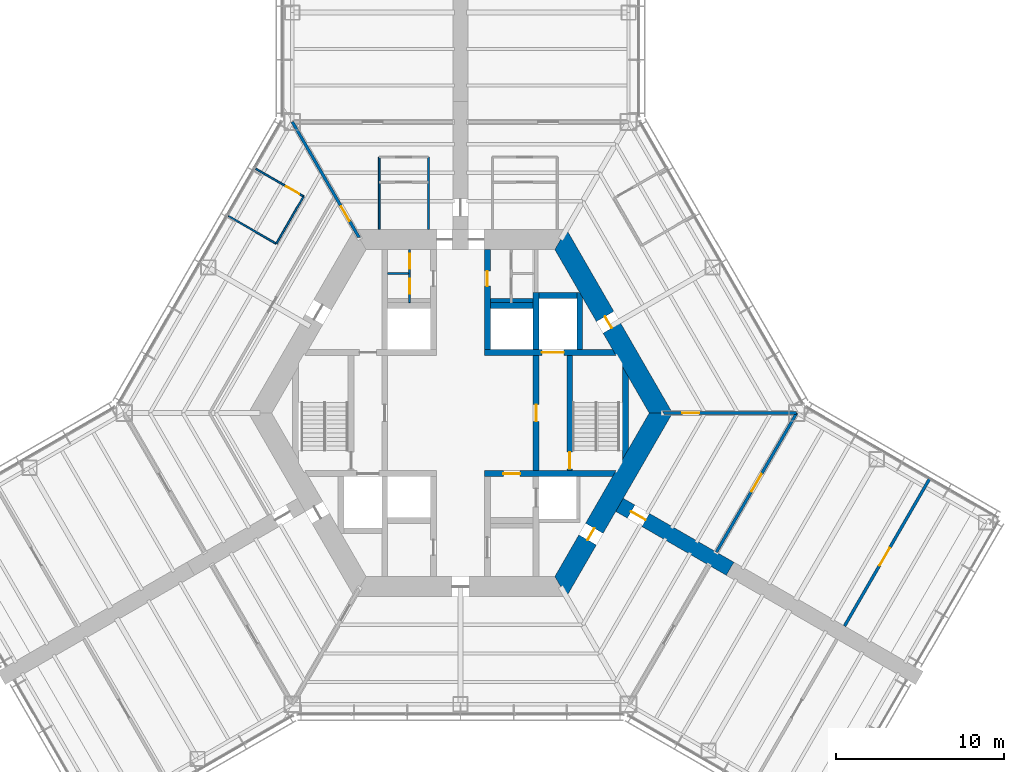
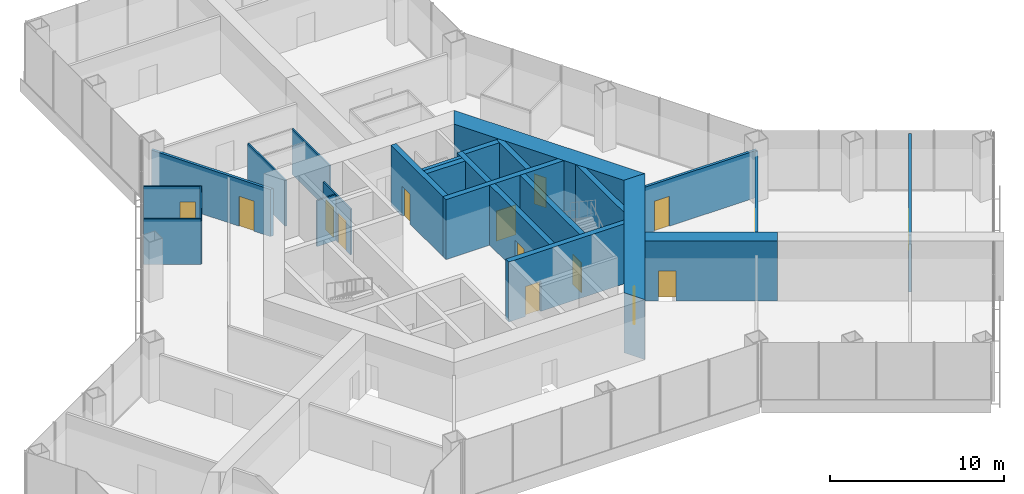
# One storey, part 12 of 16: 25 walls, 15 doors, 15 openings.
"""IFC4 building model written with IfcOpenShell, lengths in metres."""

from ifc_helpers import new_model, si_unit, direction, frame, frame_2d, origin, place, context, subcontext, project, spatial, polyline, rectangle, outline, extrude, material, layer, layer_set, type_object, element, fill, save


model = new_model("IFC4")

# Units and contexts
model_context = context("Model", 3, precision=1e-05, world=origin(), true_north=direction((0.0, 1.0)))
body_context = subcontext(model_context, "Body", "Model", "MODEL_VIEW")
ifc_project = project(units=[si_unit("LENGTHUNIT", "METRE"), si_unit("AREAUNIT", "SQUARE_METRE"), si_unit("VOLUMEUNIT", "CUBIC_METRE"), si_unit("PLANEANGLEUNIT", "RADIAN"), si_unit("MASSUNIT", "GRAM", prefix="KILO")], contexts=[model_context])

# Site, building, storey
site_placement = place(None, origin())
site = spatial("IfcSite", under=ifc_project, at=site_placement, CompositionType="ELEMENT")
building_placement = place(site_placement, origin())
building = spatial("IfcBuilding", under=site, at=building_placement, Name="Kasaneha Research Tower", CompositionType="ELEMENT")
storey_placement = place(building_placement, frame((0.0, 0.0, 18.39990234375)))
storey = spatial("IfcBuildingStorey", under=building, at=storey_placement, Name="L05", CompositionType="ELEMENT", Elevation=18.39990234375)

# Wall, opening, door
ifc_material_1 = material(Name="Concrete Fc100", Category="concrete")
ifc_layer_1 = layer(ifc_material_1, 0.35009765625)
ifc_layer_set_1 = layer_set([ifc_layer_1], Name="Core internal wall 350 Fc100")
wall_type_1 = type_object("IfcWallType", Name="Core internal wall 350 Fc100", PredefinedType="SHEAR", material=ifc_layer_set_1)
wall_1_placement = place(storey_placement, frame((1.425048828125, 3.60009765625, 0.0), z_axis=(0.0, 0.0, 1.0), x_axis=(1.0, 0.0, 0.0)))
wall_1 = element("IfcWall", 1, at=wall_1_placement, inside=storey, type_object=wall_type_1, Name="Core wall W1E L05", PredefinedType="SHEAR", context=body_context, shape_type="SweptSolid", body=[
    extrude(outline(polyline([(0.0, -0.175048828125), (3.425048828125, -0.175048828125), (4.72509765625, -0.175048828125), (7.8271484375, -0.175048828125), (7.625, 0.175048828125), (4.72509765625, 0.175048828125), (3.425048828125, 0.175048828125), (0.0, 0.175048828125), (0.0, -0.175048828125)])), origin(), (0.0, 0.0, 1.0), 4.2001953125),
])
opening_1_placement = place(wall_1_placement, frame((3.425048828125, 0.0, 0.0)))
opening_1 = element("IfcOpeningElement", 2, at=opening_1_placement, cuts=wall_1, Name="Opening LD-FL1-L05", PredefinedType="OPENING", context=body_context, shape_type="SweptSolid", body=[
    extrude(rectangle(XDim=1.300048828125, YDim=2.10009765625, at=frame_2d((0.64990234375, 1.050048828125))), frame((0.0, 0.18505859375, 0.0), z_axis=(0.0, -1.0, 0.0), x_axis=(1.0, 0.0, 0.0)), (0.0, 0.0, 1.0), 0.3701171875),
])
ifc_material_2 = material(Name="Steel", Category="steel")
door_type_1 = type_object("IfcDoorType", Name="Lift landing door 1300x2100", OperationType="DOUBLE_DOOR_SLIDING", PredefinedType="DOOR", material=ifc_material_2)
door_1_placement = place(opening_1_placement, origin())
door_1 = element("IfcDoor", 3, at=door_1_placement, inside=storey, type_object=door_type_1, Name="Landing door FL1 LD-FL1-L05", OperationType="DOUBLE_DOOR_SLIDING", OverallHeight=2.10009765625, OverallWidth=1.300048828125, PredefinedType="DOOR", context=body_context, shape_type="SweptSolid", body=[
    extrude(rectangle(XDim=1.300048828125, YDim=2.10009765625, at=frame_2d((0.64990234375, 1.050048828125))), frame((0.0, 0.02490234375, 0.0), z_axis=(0.0, -1.0, 0.0), x_axis=(1.0, 0.0, 0.0)), (0.0, 0.0, 1.0), 0.050048828125),
])
fill(opening_1, door_1)

wall_2_placement = place(storey_placement, frame((1.425048828125, -3.60009765625, 0.0), z_axis=(0.0, 0.0, 1.0), x_axis=(1.0, 0.0, 0.0)))
wall_2 = element("IfcWall", 4, at=wall_2_placement, inside=storey, type_object=wall_type_1, Name="Core wall W2E L05", PredefinedType="SHEAR", context=body_context, shape_type="SweptSolid", body=[
    extrude(outline(polyline([(0.0, -0.175048828125), (1.125, -0.175048828125), (2.125, -0.175048828125), (7.625, -0.175048828125), (7.8271484375, 0.175048828125), (2.125, 0.175048828125), (1.125, 0.175048828125), (0.0, 0.175048828125), (0.0, -0.175048828125)])), origin(), (0.0, 0.0, 1.0), 4.2001953125),
])
opening_2_placement = place(wall_2_placement, frame((1.125, 0.0, 0.0)))
opening_2 = element("IfcOpeningElement", 5, at=opening_2_placement, cuts=wall_2, Name="Opening L05-LV", PredefinedType="OPENING", context=body_context, shape_type="SweptSolid", body=[
    extrude(rectangle(XDim=1.0, YDim=2.10009765625, at=frame_2d((0.5, 1.050048828125))), frame((0.0, 0.18505859375, 0.0), z_axis=(0.0, -1.0, 0.0), x_axis=(1.0, 0.0, 0.0)), (0.0, 0.0, 1.0), 0.3701171875),
])
ifc_material_3 = material(Name="Steel", Category="steel")
door_type_2 = type_object("IfcDoorType", Name="Specified fire door FD60 1000x2100", OperationType="NOTDEFINED", PredefinedType="DOOR", material=ifc_material_3)
door_2_placement = place(opening_2_placement, origin())
door_2 = element("IfcDoor", 6, at=door_2_placement, inside=storey, type_object=door_type_2, Name="Podium vestibule door L05-LV", OperationType="SINGLE_SWING_LEFT", OverallHeight=2.10009765625, OverallWidth=1.0, PredefinedType="DOOR", context=body_context, shape_type="SweptSolid", body=[
    extrude(rectangle(XDim=1.0, YDim=2.10009765625, at=frame_2d((0.5, 1.050048828125))), frame((0.0, 0.02490234375, 0.0), z_axis=(0.0, -1.0, 0.0), x_axis=(1.0, 0.0, 0.0)), (0.0, 0.0, 1.0), 0.050048828125),
])
fill(opening_2, door_2)

wall_3_placement = place(storey_placement, frame((1.60009765625, 3.77490234375, 0.0), z_axis=(0.0, 0.0, 1.0), x_axis=(0.0, 1.0, 0.0)))
wall_3 = element("IfcWall", 7, at=wall_3_placement, inside=storey, type_object=wall_type_1, Name="Core wall CNE L05", PredefinedType="SHEAR", context=body_context, shape_type="SweptSolid", body=[
    extrude(rectangle(XDim=5.9501953125, YDim=0.35009765625, at=frame_2d((2.97509765625, 0.0))), origin(), (0.0, 0.0, 1.0), 4.2001953125),
])
opening_3_placement = place(wall_3_placement, frame((3.77490234375, 0.0, 0.0)))
opening_3 = element("IfcOpeningElement", 8, at=opening_3_placement, cuts=wall_3, Name="Opening L05-D14", PredefinedType="OPENING", context=body_context, shape_type="SweptSolid", body=[
    extrude(rectangle(XDim=0.89990234375, YDim=2.10009765625, at=frame_2d((0.449951171875, 1.050048828125))), frame((0.0, 0.18505859375, 0.0), z_axis=(0.0, -1.0, 0.0), x_axis=(1.0, 0.0, 0.0)), (0.0, 0.0, 1.0), 0.3701171875),
])
ifc_material_4 = material(Name="Steel", Category="steel")
door_type_3 = type_object("IfcDoorType", Name="Toilet door FD20 900x2100", OperationType="NOTDEFINED", PredefinedType="DOOR", material=ifc_material_4)
door_3_placement = place(opening_3_placement, origin())
door_3 = element("IfcDoor", 9, at=door_3_placement, inside=storey, type_object=door_type_3, Name="Women's WC door L05-D14", OperationType="SINGLE_SWING_LEFT", OverallHeight=2.10009765625, OverallWidth=0.89990234375, PredefinedType="DOOR", context=body_context, shape_type="SweptSolid", body=[
    extrude(rectangle(XDim=0.89990234375, YDim=2.10009765625, at=frame_2d((0.449951171875, 1.050048828125))), frame((0.0, 0.02490234375, 0.0), z_axis=(0.0, -1.0, 0.0), x_axis=(1.0, 0.0, 0.0)), (0.0, 0.0, 1.0), 0.050048828125),
])
fill(opening_3, door_3)

wall_4_placement = place(storey_placement, frame((4.5, -3.425048828125, 0.0), z_axis=(0.0, 0.0, 1.0), x_axis=(0.0, 1.0, 0.0)))
wall_4 = element("IfcWall", 10, at=wall_4_placement, inside=storey, type_object=wall_type_1, Name="Core wall LBE L05", PredefinedType="SHEAR", context=body_context, shape_type="SweptSolid", body=[
    extrude(rectangle(XDim=6.85009765625, YDim=0.35009765625, at=frame_2d((3.425048828125, 0.0))), origin(), (0.0, 0.0, 1.0), 4.2001953125),
])
opening_4_placement = place(wall_4_placement, frame((2.925048828125, 0.0, 0.0)))
opening_4 = element("IfcOpeningElement", 11, at=opening_4_placement, cuts=wall_4, Name="Opening L05-D08", PredefinedType="OPENING", context=body_context, shape_type="SweptSolid", body=[
    extrude(rectangle(XDim=1.0, YDim=2.10009765625, at=frame_2d((0.5, 1.050048828125))), frame((0.0, 0.18505859375, 0.0), z_axis=(0.0, -1.0, 0.0), x_axis=(1.0, 0.0, 0.0)), (0.0, 0.0, 1.0), 0.3701171875),
])
door_4_placement = place(opening_4_placement, origin())
door_4 = element("IfcDoor", 12, at=door_4_placement, inside=storey, type_object=door_type_2, Name="Lift lobby door east L05-D08", OperationType="SINGLE_SWING_LEFT", OverallHeight=2.10009765625, OverallWidth=1.0, PredefinedType="DOOR", context=body_context, shape_type="SweptSolid", body=[
    extrude(rectangle(XDim=1.0, YDim=2.10009765625, at=frame_2d((0.5, 1.050048828125))), frame((0.0, 0.02490234375, 0.0), z_axis=(0.0, -1.0, 0.0), x_axis=(1.0, 0.0, 0.0)), (0.0, 0.0, 1.0), 0.050048828125),
])
fill(opening_4, door_4)

wall_5_placement = place(storey_placement, frame((6.5, -3.425048828125, 0.0), z_axis=(0.0, 0.0, 1.0), x_axis=(0.0, 1.0, 0.0)))
wall_5 = element("IfcWall", 13, at=wall_5_placement, inside=storey, type_object=wall_type_1, Name="Core wall ANE L05", PredefinedType="SHEAR", context=body_context, shape_type="SweptSolid", body=[
    extrude(rectangle(XDim=6.85009765625, YDim=0.35009765625, at=frame_2d((3.425048828125, 0.0))), origin(), (0.0, 0.0, 1.0), 4.2001953125),
])
opening_5_placement = place(wall_5_placement, frame((0.10009765625, 0.0, 0.0)))
opening_5 = element("IfcOpeningElement", 14, at=opening_5_placement, cuts=wall_5, Name="Opening L05-D10", PredefinedType="OPENING", context=body_context, shape_type="SweptSolid", body=[
    extrude(rectangle(XDim=1.0, YDim=2.10009765625, at=frame_2d((0.5, 1.050048828125))), frame((0.0, 0.18505859375, 0.0), z_axis=(0.0, -1.0, 0.0), x_axis=(1.0, 0.0, 0.0)), (0.0, 0.0, 1.0), 0.3701171875),
])
door_5_placement = place(opening_5_placement, origin())
door_5 = element("IfcDoor", 15, at=door_5_placement, inside=storey, type_object=door_type_2, Name="Stair 1 door L05-D10", OperationType="SINGLE_SWING_LEFT", OverallHeight=2.10009765625, OverallWidth=1.0, PredefinedType="DOOR", context=body_context, shape_type="SweptSolid", body=[
    extrude(rectangle(XDim=1.0, YDim=2.10009765625, at=frame_2d((0.5, 1.050048828125))), frame((0.0, 0.02490234375, 0.0), z_axis=(0.0, -1.0, 0.0), x_axis=(1.0, 0.0, 0.0)), (0.0, 0.0, 1.0), 0.050048828125),
])
fill(opening_5, door_5)

# Walls
wall_6_placement = place(storey_placement, frame((4.5, 3.77490234375, 0.0), z_axis=(0.0, 0.0, 1.0), x_axis=(0.0, 1.0, 0.0)))
element("IfcWall", 16, at=wall_6_placement, inside=storey, type_object=wall_type_1, Name="Core wall FNE L05", PredefinedType="SHEAR", context=body_context, shape_type="SweptSolid", body=[
    extrude(rectangle(XDim=3.400146484375, YDim=0.35009765625, at=frame_2d((1.7001953125, 0.0))), origin(), (0.0, 0.0, 1.0), 4.2001953125),
])
wall_7_placement = place(storey_placement, frame((1.77490234375, 6.39990234375, 0.0), z_axis=(0.0, 0.0, 1.0), x_axis=(1.0, 0.0, 0.0)))
element("IfcWall", 17, at=wall_7_placement, inside=storey, type_object=wall_type_1, Name="Core wall N3N L05", PredefinedType="SHEAR", context=body_context, shape_type="SweptSolid", body=[
    extrude(rectangle(XDim=2.550048828125, YDim=0.35009765625, at=frame_2d((1.27490234375, 0.0))), origin(), (0.0, 0.0, 1.0), 4.2001953125),
])
wall_8_placement = place(storey_placement, frame((4.675048828125, 7.0, 0.0), z_axis=(0.0, 0.0, 1.0), x_axis=(1.0, 0.0, 0.0)))
element("IfcWall", 18, at=wall_8_placement, inside=storey, type_object=wall_type_1, Name="Core wall F1N L05", PredefinedType="SHEAR", context=body_context, shape_type="SweptSolid", body=[
    extrude(rectangle(XDim=2.25, YDim=0.35009765625, at=frame_2d((1.125, 0.0))), origin(), (0.0, 0.0, 1.0), 4.2001953125),
])
wall_9_placement = place(storey_placement, frame((7.10009765625, 3.77490234375, 0.0), z_axis=(0.0, 0.0, 1.0), x_axis=(0.0, 1.0, 0.0)))
element("IfcWall", 19, at=wall_9_placement, inside=storey, type_object=wall_type_1, Name="Core wall F1E L05", PredefinedType="SHEAR", context=body_context, shape_type="SweptSolid", body=[
    extrude(outline(polyline([(0.0, -0.175048828125), (3.07421875, -0.175048828125), (3.37744140625, 0.0), (3.39990234375, 0.175048828125), (0.0, 0.175048828125), (0.0, -0.175048828125)])), origin(), (0.0, 0.0, 1.0), 4.2001953125),
])
wall_10_placement = place(storey_placement, frame((9.807861328125, -2.462158203125, 0.0), z_axis=(0.0, 0.0, 1.0), x_axis=(0.0, 1.0, 0.0)))
element("IfcWall", 20, at=wall_10_placement, inside=storey, type_object=wall_type_1, Name="Core wall STE L05", PredefinedType="SHEAR", context=body_context, shape_type="SweptSolid", body=[
    extrude(outline(polyline([(0.30322265625, -0.175048828125), (4.62109375, -0.175048828125), (5.2275390625, 0.175048828125), (-0.30322265625, 0.175048828125), (0.30322265625, -0.175048828125)])), origin(), (0.0, 0.0, 1.0), 4.2001953125),
])

# Wall, opening, door
ifc_material_5 = material(Name="Concrete Fc100", Category="concrete")
ifc_layer_2 = layer(ifc_material_5, 1.199951171875)
ifc_layer_set_2 = layer_set([ifc_layer_2], Name="Core wall 1200 Fc100")
wall_type_2 = type_object("IfcWallType", Name="Core wall 1200 Fc100", PredefinedType="SHEAR", material=ifc_layer_set_2)
wall_11_placement = place(storey_placement, frame((11.92236328125, 0.0, 0.0), z_axis=(0.0, 0.0, 1.0), x_axis=(-0.500004296715, 0.866022923061, 0.0)))
wall_11 = element("IfcWall", 21, at=wall_11_placement, inside=storey, type_object=wall_type_2, Name="Core wall 030 L05", PredefinedType="SHEAR", context=body_context, shape_type="SweptSolid", body=[
    extrude(outline(polyline([(-0.346435546875, -0.60009765625), (5.83544921875, -0.60009765625), (6.635498046875, -0.60009765625), (12.268798828125, -0.60009765625), (11.575927734375, 0.60009765625), (6.635498046875, 0.60009765625), (5.83544921875, 0.60009765625), (0.346435546875, 0.60009765625), (-0.346435546875, -0.60009765625)])), origin(), (0.0, 0.0, 1.0), 4.2001953125),
])
opening_6_placement = place(wall_11_placement, frame((5.83544921875, 0.0, 0.0)))
opening_6 = element("IfcOpeningElement", 22, at=opening_6_placement, cuts=wall_11, Name="Opening L05-D04", PredefinedType="OPENING", context=body_context, shape_type="SweptSolid", body=[
    extrude(rectangle(XDim=0.800048828125, YDim=2.10009765625, at=frame_2d((0.39990234375, 1.050048828125))), frame((0.0, 0.60986328125, 0.0), z_axis=(0.0, -1.0, 0.0), x_axis=(1.0, 0.0, 0.0)), (0.0, 0.0, 1.0), 1.219970703125),
])
ifc_material_6 = material(Name="Steel", Category="steel")
door_type_4 = type_object("IfcDoorType", Name="Riser access door FD60 800x2100", OperationType="NOTDEFINED", PredefinedType="DOOR", material=ifc_material_6)
door_6_placement = place(opening_6_placement, origin())
door_6 = element("IfcDoor", 23, at=door_6_placement, inside=storey, type_object=door_type_4, Name="Pipe riser door L05-D04", OperationType="SINGLE_SWING_RIGHT", OverallHeight=2.10009765625, OverallWidth=0.800048828125, PredefinedType="DOOR", context=body_context, shape_type="SweptSolid", body=[
    extrude(rectangle(XDim=0.800048828125, YDim=2.10009765625, at=frame_2d((0.39990234375, 1.050048828125))), frame((0.0, 0.02490234375, 0.0), z_axis=(0.0, -1.0, 0.0), x_axis=(1.0, 0.0, 0.0)), (0.0, 0.0, 1.0), 0.050048828125),
])
fill(opening_6, door_6)

wall_12_placement = place(storey_placement, frame((5.961181640625, -10.324951171875, 0.0), z_axis=(0.0, 0.0, 1.0), x_axis=(0.500004296715, 0.866022923061, 0.0)))
wall_12 = element("IfcWall", 24, at=wall_12_placement, inside=storey, type_object=wall_type_2, Name="Core wall 330 L05", PredefinedType="SHEAR", context=body_context, shape_type="SweptSolid", body=[
    extrude(outline(polyline([(-0.346435546875, -0.60009765625), (3.20849609375, -0.60009765625), (4.008544921875, -0.60009765625), (12.268798828125, -0.60009765625), (11.575927734375, 0.60009765625), (4.008544921875, 0.60009765625), (3.20849609375, 0.60009765625), (0.346435546875, 0.60009765625), (-0.346435546875, -0.60009765625)])), origin(), (0.0, 0.0, 1.0), 4.2001953125),
])
opening_7_placement = place(wall_12_placement, frame((3.20849609375, 0.0, 0.0)))
opening_7 = element("IfcOpeningElement", 25, at=opening_7_placement, cuts=wall_12, Name="Opening L05-D05", PredefinedType="OPENING", context=body_context, shape_type="SweptSolid", body=[
    extrude(rectangle(XDim=0.800048828125, YDim=2.10009765625, at=frame_2d((0.39990234375, 1.050048828125))), frame((0.0, 0.60986328125, 0.0), z_axis=(0.0, -1.0, 0.0), x_axis=(1.0, 0.0, 0.0)), (0.0, 0.0, 1.0), 1.219970703125),
])
door_7_placement = place(opening_7_placement, origin())
door_7 = element("IfcDoor", 26, at=door_7_placement, inside=storey, type_object=door_type_4, Name="Pipe riser door L05-D05", OperationType="SINGLE_SWING_LEFT", OverallHeight=2.10009765625, OverallWidth=0.800048828125, PredefinedType="DOOR", context=body_context, shape_type="SweptSolid", body=[
    extrude(rectangle(XDim=0.800048828125, YDim=2.10009765625, at=frame_2d((0.39990234375, 1.050048828125))), frame((0.0, 0.02490234375, 0.0), z_axis=(0.0, -1.0, 0.0), x_axis=(1.0, 0.0, 0.0)), (0.0, 0.0, 1.0), 0.050048828125),
])
fill(opening_7, door_7)

ifc_material_7 = material(Name="Gypsum board on steel studs, two layers each side", Category="steel")
ifc_layer_3 = layer(ifc_material_7, 0.175048828125)
ifc_layer_set_3 = layer_set([ifc_layer_3], Name="Laboratory fire partition 175")
wall_type_3 = type_object("IfcWallType", Name="Laboratory fire partition 175", PredefinedType="PARTITIONING", material=ifc_layer_set_3)
wall_13_placement = place(storey_placement, frame((15.22509765625, -8.2705078125, 0.0), z_axis=(0.0, 0.0, 1.0), x_axis=(0.499993908199, 0.866028920859, 0.0)))
wall_13 = element("IfcWall", 27, at=wall_13_placement, inside=storey, type_object=wall_type_3, Name="Laboratory fire partition LABC-E L05", PredefinedType="PARTITIONING", context=body_context, shape_type="SweptSolid", body=[
    extrude(rectangle(XDim=9.5498046875, YDim=0.175048828125, at=frame_2d((4.77490234375, 0.0))), origin(), (0.0, 0.0, 1.0), 3.2080078125),
])
opening_8_placement = place(wall_13_placement, frame((4.175048828125, 0.0, 0.0)))
opening_8 = element("IfcOpeningElement", 28, at=opening_8_placement, cuts=wall_13, Name="Opening L05-D42", PredefinedType="OPENING", context=body_context, shape_type="SweptSolid", body=[
    extrude(rectangle(XDim=1.199951171875, YDim=2.10009765625, at=frame_2d((0.60009765625, 1.050048828125))), frame((0.0, 0.09765625, 0.0), z_axis=(0.0, -1.0, 0.0), x_axis=(1.0, 0.0, 0.0)), (0.0, 0.0, 1.0), 0.195068359375),
])
ifc_material_8 = material(Name="Steel", Category="steel")
door_type_5 = type_object("IfcDoorType", Name="Laboratory door FD60 1200x2100", OperationType="DOUBLE_DOOR_SINGLE_SWING", PredefinedType="DOOR", material=ifc_material_8)
door_8_placement = place(opening_8_placement, origin())
door_8 = element("IfcDoor", 29, at=door_8_placement, inside=storey, type_object=door_type_5, Name="Laboratory door L05-D42", OperationType="DOUBLE_DOOR_SINGLE_SWING", OverallHeight=2.10009765625, OverallWidth=1.199951171875, PredefinedType="DOOR", context=body_context, shape_type="SweptSolid", body=[
    extrude(rectangle(XDim=1.199951171875, YDim=2.10009765625, at=frame_2d((0.60009765625, 1.050048828125))), frame((0.0, 0.02490234375, 0.0), z_axis=(0.0, -1.0, 0.0), x_axis=(1.0, 0.0, 0.0)), (0.0, 0.0, 1.0), 0.050048828125),
])
fill(opening_8, door_8)

wall_14_placement = place(storey_placement, frame((22.845947265625, -12.670654296875, 0.0), z_axis=(0.0, 0.0, 1.0), x_axis=(0.50000186303, 0.866024328161, 0.0)))
wall_14 = element("IfcWall", 30, at=wall_14_placement, inside=storey, type_object=wall_type_3, Name="Laboratory fire partition SUPC-E L05", PredefinedType="PARTITIONING", context=body_context, shape_type="SweptSolid", body=[
    extrude(rectangle(XDim=10.13525390625, YDim=0.175048828125, at=frame_2d((5.067626953125, 0.0))), origin(), (0.0, 0.0, 1.0), 4.0),
])
opening_9_placement = place(wall_14_placement, frame((4.175048828125, 0.0, 0.0)))
opening_9 = element("IfcOpeningElement", 31, at=opening_9_placement, cuts=wall_14, Name="Opening L05-D43", PredefinedType="OPENING", context=body_context, shape_type="SweptSolid", body=[
    extrude(rectangle(XDim=1.199951171875, YDim=2.10009765625, at=frame_2d((0.60009765625, 1.050048828125))), frame((0.0, 0.09765625, 0.0), z_axis=(0.0, -1.0, 0.0), x_axis=(1.0, 0.0, 0.0)), (0.0, 0.0, 1.0), 0.195068359375),
])
door_9_placement = place(opening_9_placement, origin())
door_9 = element("IfcDoor", 32, at=door_9_placement, inside=storey, type_object=door_type_5, Name="Laboratory support room door L05-D43", OperationType="DOUBLE_DOOR_SINGLE_SWING", OverallHeight=2.10009765625, OverallWidth=1.199951171875, PredefinedType="DOOR", context=body_context, shape_type="SweptSolid", body=[
    extrude(rectangle(XDim=1.199951171875, YDim=2.10009765625, at=frame_2d((0.60009765625, 1.050048828125))), frame((0.0, 0.02490234375, 0.0), z_axis=(0.0, -1.0, 0.0), x_axis=(1.0, 0.0, 0.0)), (0.0, 0.0, 1.0), 0.050048828125),
])
fill(opening_9, door_9)

# Wall, openings, doors
ifc_material_9 = material(Name="Gypsum board on steel studs, one layer each side", Category="steel")
ifc_layer_4 = layer(ifc_material_9, 0.10009765625)
ifc_layer_set_4 = layer_set([ifc_layer_4], Name="Office partition 100")
wall_type_4 = type_object("IfcWallType", Name="Office partition 100", PredefinedType="PARTITIONING", material=ifc_layer_set_4)
wall_15_placement = place(storey_placement, frame((-3.02490234375, 6.574951171875, 0.0), z_axis=(0.0, 0.0, 1.0), x_axis=(0.0, 1.0, 0.0)))
wall_15 = element("IfcWall", 33, at=wall_15_placement, inside=storey, type_object=wall_type_4, Name="Office partition TBM1 L05", PredefinedType="PARTITIONING", context=body_context, shape_type="SweptSolid", body=[
    extrude(rectangle(XDim=3.150146484375, YDim=0.10009765625, at=frame_2d((1.5751953125, 0.0))), origin(), (0.0, 0.0, 1.0), 3.2001953125),
])
opening_10_placement = place(wall_15_placement, frame((0.512451171875, 0.0, 0.0)))
opening_10 = element("IfcOpeningElement", 34, at=opening_10_placement, cuts=wall_15, Name="Opening L05-D20", PredefinedType="OPENING", context=body_context, shape_type="SweptSolid", body=[
    extrude(rectangle(XDim=0.89990234375, YDim=2.10009765625, at=frame_2d((0.449951171875, 1.050048828125))), frame((0.0, 0.06005859375, 0.0), z_axis=(0.0, -1.0, 0.0), x_axis=(1.0, 0.0, 0.0)), (0.0, 0.0, 1.0), 0.1201171875),
])
opening_11_placement = place(wall_15_placement, frame((2.012451171875, 0.0, 0.0)))
opening_11 = element("IfcOpeningElement", 35, at=opening_11_placement, cuts=wall_15, Name="Opening L05-D21", PredefinedType="OPENING", context=body_context, shape_type="SweptSolid", body=[
    extrude(rectangle(XDim=0.89990234375, YDim=2.10009765625, at=frame_2d((0.449951171875, 1.050048828125))), frame((0.0, 0.06005859375, 0.0), z_axis=(0.0, -1.0, 0.0), x_axis=(1.0, 0.0, 0.0)), (0.0, 0.0, 1.0), 0.1201171875),
])
ifc_material_10 = material(Name="Steel", Category="steel")
door_type_6 = type_object("IfcDoorType", Name="Toilet lobby door FD30 900x2100", OperationType="NOTDEFINED", PredefinedType="DOOR", material=ifc_material_10)
door_10_placement = place(opening_10_placement, origin())
door_10 = element("IfcDoor", 36, at=door_10_placement, inside=storey, type_object=door_type_6, Name="Men's WC door L05-D20", OperationType="SINGLE_SWING_RIGHT", OverallHeight=2.10009765625, OverallWidth=0.89990234375, PredefinedType="DOOR", context=body_context, shape_type="SweptSolid", body=[
    extrude(rectangle(XDim=0.89990234375, YDim=2.10009765625, at=frame_2d((0.449951171875, 1.050048828125))), frame((0.0, 0.02490234375, 0.0), z_axis=(0.0, -1.0, 0.0), x_axis=(1.0, 0.0, 0.0)), (0.0, 0.0, 1.0), 0.050048828125),
])
fill(opening_10, door_10)
door_11_placement = place(opening_11_placement, origin())
door_11 = element("IfcDoor", 37, at=door_11_placement, inside=storey, type_object=door_type_6, Name="Cleaner's store door L05-D21", OperationType="SINGLE_SWING_RIGHT", OverallHeight=2.10009765625, OverallWidth=0.89990234375, PredefinedType="DOOR", context=body_context, shape_type="SweptSolid", body=[
    extrude(rectangle(XDim=0.89990234375, YDim=2.10009765625, at=frame_2d((0.449951171875, 1.050048828125))), frame((0.0, 0.02490234375, 0.0), z_axis=(0.0, -1.0, 0.0), x_axis=(1.0, 0.0, 0.0)), (0.0, 0.0, 1.0), 0.050048828125),
])
fill(opening_11, door_11)

# Walls
wall_16_placement = place(storey_placement, frame((-3.074951171875, 8.300048828125, 0.0), z_axis=(0.0, 0.0, 1.0), x_axis=(-1.0, 0.0, 0.0)))
element("IfcWall", 38, at=wall_16_placement, inside=storey, type_object=wall_type_4, Name="Office partition TBM2 L05", PredefinedType="PARTITIONING", context=body_context, shape_type="SweptSolid", body=[
    extrude(rectangle(XDim=1.25, YDim=0.10009765625, at=frame_2d((0.625, 0.0))), origin(), (0.0, 0.0, 1.0), 3.2001953125),
])
for number, where, z_axis, x_axis, name in (
    (39, (-1.89990234375, 10.925048828125, 0.0), (0.0, 0.0, 1.0), (0.0, 1.0, 0.0), "Office partition WCAW2 L05"),
    (40, (-4.82861328125, 10.925048828125, 0.0), (0.0, 0.0, 1.0), (0.0, 1.0, 0.0), "Office partition WCAW3 L05"),
):
    element("IfcWall", number, at=place(storey_placement, frame(where, z_axis=z_axis, x_axis=x_axis)), inside=storey, type_object=wall_type_4, Name=name, PredefinedType="PARTITIONING", context=body_context, shape_type="SweptSolid", body=[
        extrude(rectangle(XDim=4.300048828125, YDim=0.10009765625, at=frame_2d((2.14990234375, 0.0))), origin(), (0.0, 0.0, 1.0), 3.2001953125),
    ])

# Wall, opening, door
wall_17_placement = place(storey_placement, frame((-12.177978515625, 14.5283203125, 0.0), z_axis=(0.0, 0.0, 1.0), x_axis=(0.866033596865, -0.4999858089, 0.0)))
wall_17 = element("IfcWall", 41, at=wall_17_placement, inside=storey, type_object=wall_type_4, Name="Office partition FBN03 L05", PredefinedType="PARTITIONING", context=body_context, shape_type="SweptSolid", body=[
    extrude(rectangle(XDim=3.2900390625, YDim=0.10009765625, at=frame_2d((1.64501953125, 0.0))), origin(), (0.0, 0.0, 1.0), 3.2001953125),
])
opening_12_placement = place(wall_17_placement, frame((2.090087890625, 0.0, 0.0)))
opening_12 = element("IfcOpeningElement", 42, at=opening_12_placement, cuts=wall_17, Name="Opening L05-D38", PredefinedType="OPENING", context=body_context, shape_type="SweptSolid", body=[
    extrude(rectangle(XDim=0.89990234375, YDim=2.10009765625, at=frame_2d((0.449951171875, 1.050048828125))), frame((0.0, 0.06005859375, 0.0), z_axis=(0.0, -1.0, 0.0), x_axis=(1.0, 0.0, 0.0)), (0.0, 0.0, 1.0), 0.1201171875),
])
ifc_material_11 = material(Name="Timber veneer", Category="wood")
door_type_7 = type_object("IfcDoorType", Name="Office door 900x2100", OperationType="SINGLE_SWING_LEFT", PredefinedType="DOOR", material=ifc_material_11)
door_12_placement = place(opening_12_placement, origin())
door_12 = element("IfcDoor", 43, at=door_12_placement, inside=storey, type_object=door_type_7, Name="Cold room door L05-D38", OperationType="SINGLE_SWING_RIGHT", OverallHeight=2.10009765625, OverallWidth=0.89990234375, PredefinedType="DOOR", context=body_context, shape_type="SweptSolid", body=[
    extrude(rectangle(XDim=0.89990234375, YDim=2.10009765625, at=frame_2d((0.449951171875, 1.050048828125))), frame((0.0, 0.02490234375, 0.0), z_axis=(0.0, -1.0, 0.0), x_axis=(1.0, 0.0, 0.0)), (0.0, 0.0, 1.0), 0.050048828125),
])
fill(opening_12, door_12)

# Walls
wall_18_placement = place(storey_placement, frame((-10.951904296875, 10.07177734375, 0.0), z_axis=(0.0, 0.0, 1.0), x_axis=(-0.866040564224, 0.499973740429, 0.0)))
element("IfcWall", 44, at=wall_18_placement, inside=storey, type_object=wall_type_4, Name="Office partition FBN04 L05", PredefinedType="PARTITIONING", context=body_context, shape_type="SweptSolid", body=[
    extrude(rectangle(XDim=3.280029296875, YDim=0.10009765625, at=frame_2d((1.64013671875, 0.0))), origin(), (0.0, 0.0, 1.0), 3.2001953125),
])
wall_19_placement = place(storey_placement, frame((-9.32861328125, 12.88330078125, 0.0), z_axis=(0.0, 0.0, 1.0), x_axis=(-0.500013214685, -0.866017774148, 0.0)))
element("IfcWall", 45, at=wall_19_placement, inside=storey, type_object=wall_type_4, Name="Office partition FBN05 L05", PredefinedType="PARTITIONING", context=body_context, shape_type="SweptSolid", body=[
    extrude(rectangle(XDim=3.24658203125, YDim=0.10009765625, at=frame_2d((1.623291015625, 0.0))), origin(), (0.0, 0.0, 1.0), 3.2001953125),
])

# Wall, opening, door
ifc_material_12 = material(Name="Concrete Fc100", Category="concrete")
ifc_layer_5 = layer(ifc_material_12, 0.89990234375)
ifc_layer_set_5 = layer_set([ifc_layer_5], Name="Spine wall 900 Fc100")
wall_type_5 = type_object("IfcWallType", Name="Spine wall 900 Fc100", PredefinedType="SHEAR", material=ifc_layer_set_5)
wall_20_placement = place(storey_placement, frame((9.46142578125, -5.46240234375, 0.0), z_axis=(0.0, 0.0, 1.0), x_axis=(0.866019116917, -0.500010889016, 0.0)))
wall_20 = element("IfcWall", 46, at=wall_20_placement, inside=storey, type_object=wall_type_5, Name="Spine wall C L05", PredefinedType="SHEAR", context=body_context, shape_type="SweptSolid", body=[
    extrude(rectangle(XDim=7.595458984375, YDim=0.89990234375, at=frame_2d((3.7978515625, 0.0))), origin(), (0.0, 0.0, 1.0), 4.2001953125),
])
opening_13_placement = place(wall_20_placement, frame((0.800048828125, 0.0, 0.0)))
opening_13 = element("IfcOpeningElement", 47, at=opening_13_placement, cuts=wall_20, Name="Opening L05-D19", PredefinedType="OPENING", context=body_context, shape_type="SweptSolid", body=[
    extrude(rectangle(XDim=1.0, YDim=2.10009765625, at=frame_2d((0.5, 1.050048828125))), frame((0.0, 0.4599609375, 0.0), z_axis=(0.0, -1.0, 0.0), x_axis=(1.0, 0.0, 0.0)), (0.0, 0.0, 1.0), 0.919921875),
])
door_13_placement = place(opening_13_placement, origin())
door_13 = element("IfcDoor", 48, at=door_13_placement, inside=storey, type_object=door_type_2, Name="Spine doorway C L05-D19", OperationType="SINGLE_SWING_LEFT", OverallHeight=2.10009765625, OverallWidth=1.0, PredefinedType="DOOR", context=body_context, shape_type="SweptSolid", body=[
    extrude(rectangle(XDim=1.0, YDim=2.10009765625, at=frame_2d((0.5, 1.050048828125))), frame((0.0, 0.02490234375, 0.0), z_axis=(0.0, -1.0, 0.0), x_axis=(1.0, 0.0, 0.0)), (0.0, 0.0, 1.0), 0.050048828125),
])
fill(opening_13, door_13)

ifc_material_13 = material(Name="Gypsum board on steel studs, two layers each side", Category="steel")
ifc_layer_6 = layer(ifc_material_13, 0.175048828125)
ifc_layer_set_6 = layer_set([ifc_layer_6], Name="Tenancy fire partition 175")
wall_type_6 = type_object("IfcWallType", Name="Tenancy fire partition 175", PredefinedType="PARTITIONING", material=ifc_layer_set_6)
wall_21_placement = place(storey_placement, frame((12.070068359375, 0.0, 0.0), z_axis=(0.0, 0.0, 1.0), x_axis=(1.0, 0.0, 0.0)))
wall_21 = element("IfcWall", 49, at=wall_21_placement, inside=storey, type_object=wall_type_6, Name="Tenancy fire partition T000 L05", PredefinedType="PARTITIONING", context=body_context, shape_type="SweptSolid", body=[
    extrude(outline(polyline([(0.050537109375, -0.08740234375), (1.12939453125, -0.08740234375), (2.12939453125, -0.08740234375), (7.929931640625, -0.08740234375), (7.929931640625, 0.08740234375), (2.12939453125, 0.08740234375), (1.12939453125, 0.08740234375), (-0.050537109375, 0.08740234375), (0.050537109375, -0.08740234375)])), origin(), (0.0, 0.0, 1.0), 3.300048828125),
])
opening_14_placement = place(wall_21_placement, frame((1.12939453125, 0.0, 0.0)))
opening_14 = element("IfcOpeningElement", 50, at=opening_14_placement, cuts=wall_21, Name="Opening L05-D24", PredefinedType="OPENING", context=body_context, shape_type="SweptSolid", body=[
    extrude(rectangle(XDim=1.0, YDim=2.10009765625, at=frame_2d((0.5, 1.050048828125))), frame((0.0, 0.09765625, 0.0), z_axis=(0.0, -1.0, 0.0), x_axis=(1.0, 0.0, 0.0)), (0.0, 0.0, 1.0), 0.195068359375),
])
ifc_material_14 = material(Name="Steel", Category="steel")
door_type_8 = type_object("IfcDoorType", Name="Suite entrance door FD60 1000x2100", OperationType="NOTDEFINED", PredefinedType="DOOR", material=ifc_material_14)
door_14_placement = place(opening_14_placement, origin())
door_14 = element("IfcDoor", 51, at=door_14_placement, inside=storey, type_object=door_type_8, Name="Connecting door L05-D24", OperationType="SINGLE_SWING_LEFT", OverallHeight=2.10009765625, OverallWidth=1.0, PredefinedType="DOOR", context=body_context, shape_type="SweptSolid", body=[
    extrude(rectangle(XDim=1.0, YDim=2.10009765625, at=frame_2d((0.5, 1.050048828125))), frame((0.0, 0.02490234375, 0.0), z_axis=(0.0, -1.0, 0.0), x_axis=(1.0, 0.0, 0.0)), (0.0, 0.0, 1.0), 0.050048828125),
])
fill(opening_14, door_14)

wall_22_placement = place(storey_placement, frame((-6.03515625, 10.453125, 0.0), z_axis=(0.0, 0.0, 1.0), x_axis=(-0.499993402427, 0.866029212861, 0.0)))
wall_22 = element("IfcWall", 52, at=wall_22_placement, inside=storey, type_object=wall_type_6, Name="Tenancy fire partition T120 L05", PredefinedType="PARTITIONING", context=body_context, shape_type="SweptSolid", body=[
    extrude(outline(polyline([(-0.050537109375, -0.08740234375), (1.12939453125, -0.08740234375), (2.12939453125, -0.08740234375), (7.9296875, -0.08740234375), (7.9296875, 0.08740234375), (2.12939453125, 0.08740234375), (1.12939453125, 0.08740234375), (0.050537109375, 0.08740234375), (-0.050537109375, -0.08740234375)])), origin(), (0.0, 0.0, 1.0), 3.300048828125),
])
opening_15_placement = place(wall_22_placement, frame((1.12939453125, 0.0, 0.0)))
opening_15 = element("IfcOpeningElement", 53, at=opening_15_placement, cuts=wall_22, Name="Opening L05-D25", PredefinedType="OPENING", context=body_context, shape_type="SweptSolid", body=[
    extrude(rectangle(XDim=1.0, YDim=2.10009765625, at=frame_2d((0.5, 1.050048828125))), frame((0.0, 0.09765625, 0.0), z_axis=(0.0, -1.0, 0.0), x_axis=(1.0, 0.0, 0.0)), (0.0, 0.0, 1.0), 0.195068359375),
])
door_15_placement = place(opening_15_placement, origin())
door_15 = element("IfcDoor", 54, at=door_15_placement, inside=storey, type_object=door_type_8, Name="Connecting door L05-D25", OperationType="SINGLE_SWING_RIGHT", OverallHeight=2.10009765625, OverallWidth=1.0, PredefinedType="DOOR", context=body_context, shape_type="SweptSolid", body=[
    extrude(rectangle(XDim=1.0, YDim=2.10009765625, at=frame_2d((0.5, 1.050048828125))), frame((0.0, 0.02490234375, 0.0), z_axis=(0.0, -1.0, 0.0), x_axis=(1.0, 0.0, 0.0)), (0.0, 0.0, 1.0), 0.050048828125),
])
fill(opening_15, door_15)

# Wall
ifc_material_15 = material(Name="Concrete block lining", Category="concrete")
ifc_layer_7 = layer(ifc_material_15, 0.25)
ifc_layer_set_7 = layer_set([ifc_layer_7], Name="WC plumbing wall 250")
wall_type_7 = type_object("IfcWallType", Name="WC plumbing wall 250", PredefinedType="PLUMBINGWALL", material=ifc_layer_set_7)
wall_23_placement = place(storey_placement, frame((1.77490234375, 6.699951171875, 0.0), z_axis=(0.0, 0.0, 1.0), x_axis=(1.0, 0.0, 0.0)))
element("IfcWall", 55, at=wall_23_placement, inside=storey, type_object=wall_type_7, Name="WC plumbing wall F L05", PredefinedType="PLUMBINGWALL", context=body_context, shape_type="SweptSolid", body=[
    extrude(rectangle(XDim=2.550048828125, YDim=0.25, at=frame_2d((1.27490234375, 0.0))), origin(), (0.0, 0.0, 1.0), 4.2001953125),
])

save(model, "model.ifc")
